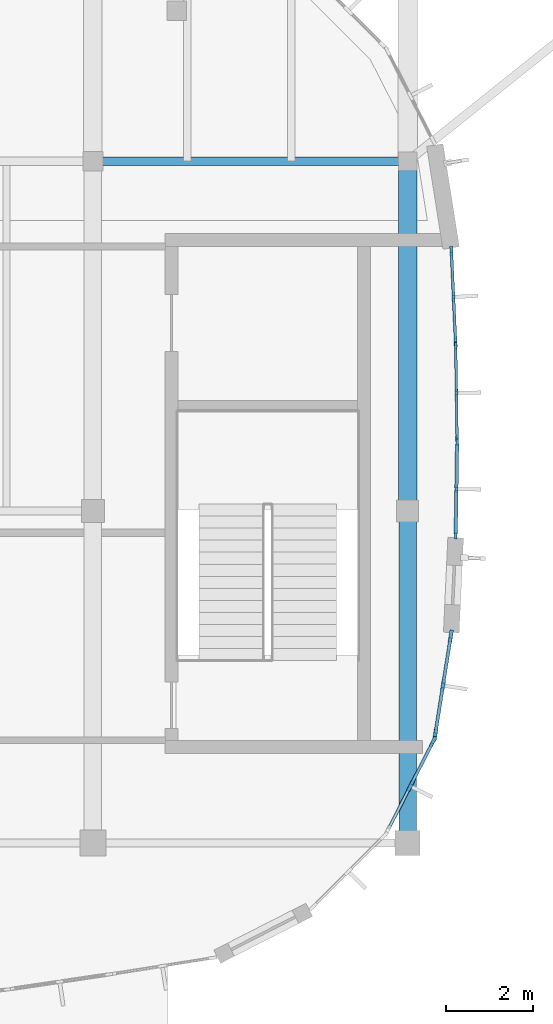
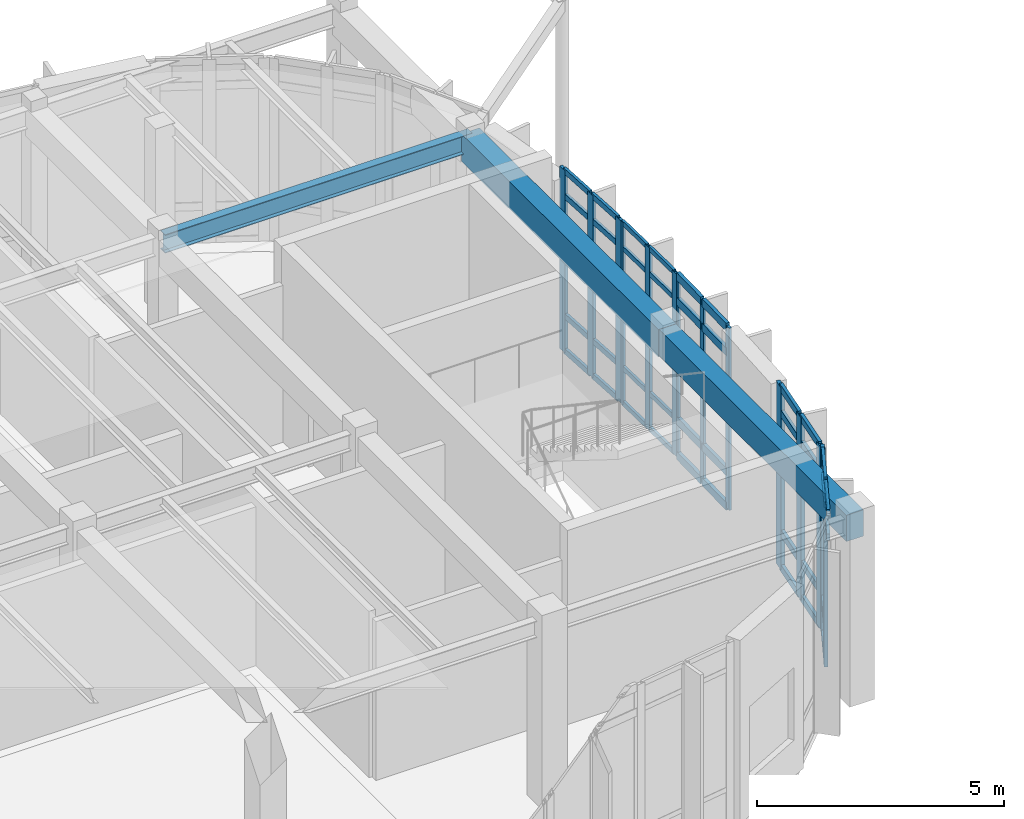
# One storey, part 35 of 120: 52 members, 3 beams, 5 elements without a shape of their own.
"""IFC4 building model written with IfcOpenShell, lengths in metres."""

from ifc_helpers import new_model, si_unit, direction, frame, origin, origin_2d, place, context, subcontext, project, spatial, rectangle, i_section, extrude, material, material_profile, profile_set, type_object, element, aggregate, save


model = new_model("IFC4")

# Units and contexts
model_context = context("Model", 3, precision=1e-05, world=origin(), true_north=direction((0.0, 1.0)))
body_context = subcontext(model_context, "Body", "Model", "MODEL_VIEW")
ifc_project = project(units=[si_unit("LENGTHUNIT", "METRE"), si_unit("AREAUNIT", "SQUARE_METRE"), si_unit("VOLUMEUNIT", "CUBIC_METRE"), si_unit("PLANEANGLEUNIT", "RADIAN"), si_unit("MASSUNIT", "GRAM", prefix="KILO")], contexts=[model_context])

# Site, building, storey
site_placement = place(None, origin())
site = spatial("IfcSite", under=ifc_project, at=site_placement, CompositionType="ELEMENT")
building_placement = place(site_placement, origin())
building = spatial("IfcBuilding", under=site, at=building_placement, Name="Corveleigh Park Community Centre", CompositionType="ELEMENT")
storey_placement = place(building_placement, origin())
storey = spatial("IfcBuildingStorey", under=building, at=storey_placement, Name="L00", CompositionType="ELEMENT", Elevation=0.0)

# Beams
ifc_material_1 = material(Name="Concrete C40/50", Category="concrete")
ifc_material_profile_1 = material_profile(ifc_material_1, rectangle(XDim=0.39990234375, YDim=0.64990234375, at=origin_2d()), Name="RC-400x650", Category="concrete")
ifc_profile_set_1 = profile_set([ifc_material_profile_1], Name="Concrete C40/50")
beam_type_1 = type_object("IfcBeamType", Name="BM-RC-400x650", PredefinedType="BEAM", material=ifc_profile_set_1)
beam_1_placement = place(storey_placement, frame((108.0, 11.205078125, 4.217041015625), z_axis=(0.0, 1.0, 0.0), x_axis=(-1.0, 0.0, 0.0)))
element("IfcBeam", 1, at=beam_1_placement, inside=storey, type_object=beam_type_1, Name="V3 Girder Y", PredefinedType="BEAM", context=body_context, shape_type="SweptSolid", body=[
    extrude(rectangle(XDim=0.39990234375, YDim=0.64990234375, at=origin_2d()), origin(), (0.0, 0.0, 1.0), 7.58984375),
])
ifc_material_profile_2 = material_profile(ifc_material_1, rectangle(XDim=0.425048828125, YDim=0.675048828125, at=origin_2d()), Name="RC-425x675", Category="concrete")
ifc_profile_set_2 = profile_set([ifc_material_profile_2], Name="Concrete C40/50")
beam_type_2 = type_object("IfcBeamType", Name="BM-RC-425x675", PredefinedType="BEAM", material=ifc_profile_set_2)
beam_2_placement = place(storey_placement, frame((108.0, 18.804931640625, 4.199462890625), z_axis=(0.0, 1.0, 0.0), x_axis=(-1.0, 0.0, 0.0)))
element("IfcBeam", 2, at=beam_2_placement, inside=storey, type_object=beam_type_2, Name="V3 Girder Y", PredefinedType="BEAM", context=body_context, shape_type="SweptSolid", body=[
    extrude(rectangle(XDim=0.425048828125, YDim=0.675048828125, at=origin_2d()), origin(), (0.0, 0.0, 1.0), 7.989990234375),
])
ifc_material_2 = material(Name="Steel S355", Category="steel")
ifc_material_profile_3 = material_profile(ifc_material_2, i_section(OverallWidth=0.1904296875, OverallDepth=0.45703125, WebThickness=0.009033203125, FlangeThickness=0.014404296875, at=origin_2d()), Name="UKB 457x191x74", Category="steel")
ifc_profile_set_3 = profile_set([ifc_material_profile_3], Name="Steel S355")
beam_type_3 = type_object("IfcBeamType", Name="BM-STL-UKB457x74", PredefinedType="BEAM", material=ifc_profile_set_3)
beam_3_placement = place(storey_placement, frame((100.804931640625, 26.800048828125, 4.30859375), z_axis=(1.0, 0.0, 0.0), x_axis=(0.0, 1.0, 0.0)))
element("IfcBeam", 3, at=beam_3_placement, inside=storey, type_object=beam_type_3, Name="V3 Girder X", PredefinedType="BEAM", context=body_context, shape_type="SweptSolid", body=[
    extrude(i_section(OverallWidth=0.1904296875, OverallDepth=0.45703125, WebThickness=0.009033203125, FlangeThickness=0.014404296875, at=origin_2d()), origin(), (0.0, 0.0, 1.0), 7.190185546875),
])

# Curtain wall, members
ifc_material_3 = material(Name="Anodised aluminium 6063-T6", Category="aluminium")
curtain_wall_type = type_object("IfcCurtainWallType", Name="CW-SYS-V3-L00", PredefinedType="NOTDEFINED", material=ifc_material_3)
curtain_wall_1_placement = place(storey_placement, origin())
curtain_wall_1 = element("IfcCurtainWall", 4, at=curtain_wall_1_placement, inside=storey, type_object=curtain_wall_type, Name="V3 L00 Curtain Wall 85", PredefinedType="NOTDEFINED")
ifc_material_profile_4 = material_profile(ifc_material_3, rectangle(XDim=0.06005859375, YDim=0.159912109375, at=origin_2d()), Name="ALU-M60x160", Category="aluminium")
ifc_profile_set_4 = profile_set([ifc_material_profile_4], Name="Anodised aluminium 6063-T6")
member_type_1 = type_object("IfcMemberType", Name="CWM-60x160", PredefinedType="MULLION", material=ifc_profile_set_4)
member_1_placement = place(storey_placement, frame((109.133544921875, 20.361083984375, 0.0), z_axis=(0.0, 0.0, 1.0), x_axis=(0.999885760581, -0.015115084786, 0.0)))
member_1 = element("IfcMember", 5, at=member_1_placement, type_object=member_type_1, Name="CW05 mullion 1", PredefinedType="MULLION", context=body_context, shape_type="SweptSolid", body=[
    extrude(rectangle(XDim=0.06005859375, YDim=0.159912109375, at=origin_2d()), origin(), (0.0, 0.0, 1.0), 4.511962890625),
])
member_2_placement = place(storey_placement, frame((109.117431640625, 19.299560546875, 0.0), z_axis=(0.0, 0.0, 1.0), x_axis=(0.999885760581, -0.015115084786, 0.0)))
member_2 = element("IfcMember", 6, at=member_2_placement, type_object=member_type_1, Name="CW05 mullion 2", PredefinedType="MULLION", context=body_context, shape_type="SweptSolid", body=[
    extrude(rectangle(XDim=0.06005859375, YDim=0.159912109375, at=origin_2d()), origin(), (0.0, 0.0, 1.0), 4.511962890625),
])
member_3_placement = place(storey_placement, frame((109.1015625, 18.238037109375, 0.0), z_axis=(0.0, 0.0, 1.0), x_axis=(0.999885760581, -0.015115084786, 0.0)))
member_3 = element("IfcMember", 7, at=member_3_placement, type_object=member_type_1, Name="CW05 mullion 3", PredefinedType="MULLION", context=body_context, shape_type="SweptSolid", body=[
    extrude(rectangle(XDim=0.06005859375, YDim=0.159912109375, at=origin_2d()), origin(), (0.0, 0.0, 1.0), 4.511962890625),
])

curtain_wall_2_placement = place(storey_placement, origin())
curtain_wall_2 = element("IfcCurtainWall", 8, at=curtain_wall_2_placement, inside=storey, type_object=curtain_wall_type, Name="V3 L00 Curtain Wall 86", PredefinedType="NOTDEFINED")
ifc_material_profile_5 = material_profile(ifc_material_3, rectangle(XDim=0.06494140625, YDim=0.179931640625, at=origin_2d()), Name="ALU-M65x180", Category="aluminium")
ifc_profile_set_5 = profile_set([ifc_material_profile_5], Name="Anodised aluminium 6063-T6")
member_type_2 = type_object("IfcMemberType", Name="CWM-65x180", PredefinedType="MULLION", material=ifc_profile_set_5)
member_4_placement = place(storey_placement, frame((109.1015625, 22.5595703125, 0.0), z_axis=(0.0, 0.0, 1.0), x_axis=(0.999885760581, 0.015115084786, 0.0)))
member_4 = element("IfcMember", 9, at=member_4_placement, type_object=member_type_2, Name="CW05 mullion 1", PredefinedType="MULLION", context=body_context, shape_type="SweptSolid", body=[
    extrude(rectangle(XDim=0.06494140625, YDim=0.179931640625, at=origin_2d()), origin(), (0.0, 0.0, 1.0), 4.511962890625),
])
member_5_placement = place(storey_placement, frame((109.117431640625, 21.50048828125, 0.0), z_axis=(0.0, 0.0, 1.0), x_axis=(0.999885760581, 0.015115084786, 0.0)))
member_5 = element("IfcMember", 10, at=member_5_placement, type_object=member_type_2, Name="CW05 mullion 2", PredefinedType="MULLION", context=body_context, shape_type="SweptSolid", body=[
    extrude(rectangle(XDim=0.06494140625, YDim=0.179931640625, at=origin_2d()), origin(), (0.0, 0.0, 1.0), 4.511962890625),
])
member_6_placement = place(storey_placement, frame((109.133544921875, 20.44140625, 0.0), z_axis=(0.0, 0.0, 1.0), x_axis=(0.999885760581, 0.015115084786, 0.0)))
member_6 = element("IfcMember", 11, at=member_6_placement, type_object=member_type_2, Name="CW05 mullion 3", PredefinedType="MULLION", context=body_context, shape_type="SweptSolid", body=[
    extrude(rectangle(XDim=0.06494140625, YDim=0.179931640625, at=origin_2d()), origin(), (0.0, 0.0, 1.0), 4.511962890625),
])

curtain_wall_3_placement = place(storey_placement, origin())
curtain_wall_3 = element("IfcCurtainWall", 12, at=curtain_wall_3_placement, inside=storey, type_object=curtain_wall_type, Name="V3 L00 Curtain Wall 87", PredefinedType="NOTDEFINED")
ifc_material_profile_6 = material_profile(ifc_material_3, rectangle(XDim=0.070068359375, YDim=0.199951171875, at=origin_2d()), Name="ALU-M70x200", Category="aluminium")
ifc_profile_set_6 = profile_set([ifc_material_profile_6], Name="Anodised aluminium 6063-T6")
member_type_3 = type_object("IfcMemberType", Name="CWM-70x200", PredefinedType="MULLION", material=ifc_profile_set_6)
member_7_placement = place(storey_placement, frame((109.002685546875, 24.748046875, 0.0), z_axis=(0.0, 0.0, 1.0), x_axis=(0.998942789627, 0.045970676011, 0.0)))
member_7 = element("IfcMember", 13, at=member_7_placement, type_object=member_type_3, Name="CW05 mullion 1", PredefinedType="MULLION", context=body_context, shape_type="SweptSolid", body=[
    extrude(rectangle(XDim=0.070068359375, YDim=0.199951171875, at=origin_2d()), origin(), (0.0, 0.0, 1.0), 4.511962890625),
])
member_8_placement = place(storey_placement, frame((109.051025390625, 23.696533203125, 0.0), z_axis=(0.0, 0.0, 1.0), x_axis=(0.998942789627, 0.045970676011, 0.0)))
member_8 = element("IfcMember", 14, at=member_8_placement, type_object=member_type_3, Name="CW05 mullion 2", PredefinedType="MULLION", context=body_context, shape_type="SweptSolid", body=[
    extrude(rectangle(XDim=0.070068359375, YDim=0.199951171875, at=origin_2d()), origin(), (0.0, 0.0, 1.0), 4.511962890625),
])
member_9_placement = place(storey_placement, frame((109.099365234375, 22.64501953125, 0.0), z_axis=(0.0, 0.0, 1.0), x_axis=(0.998942789627, 0.045970676011, 0.0)))
member_9 = element("IfcMember", 15, at=member_9_placement, type_object=member_type_3, Name="CW05 mullion 3", PredefinedType="MULLION", context=body_context, shape_type="SweptSolid", body=[
    extrude(rectangle(XDim=0.070068359375, YDim=0.199951171875, at=origin_2d()), origin(), (0.0, 0.0, 1.0), 4.511962890625),
])

curtain_wall_4_placement = place(storey_placement, origin())
curtain_wall_4 = element("IfcCurtainWall", 16, at=curtain_wall_4_placement, inside=storey, type_object=curtain_wall_type, Name="V3 L00 Curtain Wall 83", PredefinedType="NOTDEFINED")
ifc_material_profile_7 = material_profile(ifc_material_3, rectangle(XDim=0.080078125, YDim=0.25, at=origin_2d()), Name="ALU-M80x250", Category="aluminium")
ifc_profile_set_7 = profile_set([ifc_material_profile_7], Name="Anodised aluminium 6063-T6")
member_type_4 = type_object("IfcMemberType", Name="CWM-80x250", PredefinedType="MULLION", material=ifc_profile_set_7)
member_10_placement = place(storey_placement, frame((108.582763671875, 13.520263671875, 0.0), z_axis=(0.0, 0.0, 1.0), x_axis=(0.890932984411, -0.45413480079, 0.0)))
member_10 = element("IfcMember", 17, at=member_10_placement, type_object=member_type_4, Name="CW05 mullion 1", PredefinedType="MULLION", context=body_context, shape_type="SweptSolid", body=[
    extrude(rectangle(XDim=0.080078125, YDim=0.25, at=origin_2d()), origin(), (0.0, 0.0, 1.0), 4.5419921875),
])
member_11_placement = place(storey_placement, frame((108.06396484375, 12.50244140625, 0.0), z_axis=(0.0, 0.0, 1.0), x_axis=(0.890932984411, -0.45413480079, 0.0)))
member_11 = element("IfcMember", 18, at=member_11_placement, type_object=member_type_4, Name="CW05 mullion 2", PredefinedType="MULLION", context=body_context, shape_type="SweptSolid", body=[
    extrude(rectangle(XDim=0.080078125, YDim=0.25, at=origin_2d()), origin(), (0.0, 0.0, 1.0), 4.5419921875),
])

curtain_wall_5_placement = place(storey_placement, origin())
curtain_wall_5 = element("IfcCurtainWall", 19, at=curtain_wall_5_placement, inside=storey, type_object=curtain_wall_type, Name="V3 L00 Curtain Wall 84", PredefinedType="NOTDEFINED")
ifc_material_profile_8 = material_profile(ifc_material_3, rectangle(XDim=0.0849609375, YDim=0.27490234375, at=origin_2d()), Name="ALU-M85x275", Category="aluminium")
ifc_profile_set_8 = profile_set([ifc_material_profile_8], Name="Anodised aluminium 6063-T6")
member_type_5 = type_object("IfcMemberType", Name="CWM-85x275", PredefinedType="MULLION", material=ifc_profile_set_8)
member_12_placement = place(storey_placement, frame((108.990234375, 15.94091796875, 0.0), z_axis=(0.0, 0.0, 1.0), x_axis=(0.98768803972, -0.156436364679, 0.0)))
member_12 = element("IfcMember", 20, at=member_12_placement, type_object=member_type_5, Name="CW05 mullion 1", PredefinedType="MULLION", context=body_context, shape_type="SweptSolid", body=[
    extrude(rectangle(XDim=0.0849609375, YDim=0.27490234375, at=origin_2d()), origin(), (0.0, 0.0, 1.0), 4.511962890625),
])
member_13_placement = place(storey_placement, frame((108.810546875, 14.805419921875, 0.0), z_axis=(0.0, 0.0, 1.0), x_axis=(0.98768803972, -0.156436364679, 0.0)))
member_13 = element("IfcMember", 21, at=member_13_placement, type_object=member_type_5, Name="CW05 mullion 2", PredefinedType="MULLION", context=body_context, shape_type="SweptSolid", body=[
    extrude(rectangle(XDim=0.0849609375, YDim=0.27490234375, at=origin_2d()), origin(), (0.0, 0.0, 1.0), 4.511962890625),
])
member_14_placement = place(storey_placement, frame((108.630615234375, 13.669921875, 0.0), z_axis=(0.0, 0.0, 1.0), x_axis=(0.98768803972, -0.156436364679, 0.0)))
member_14 = element("IfcMember", 22, at=member_14_placement, type_object=member_type_5, Name="CW05 mullion 3", PredefinedType="MULLION", context=body_context, shape_type="SweptSolid", body=[
    extrude(rectangle(XDim=0.0849609375, YDim=0.27490234375, at=origin_2d()), origin(), (0.0, 0.0, 1.0), 4.511962890625),
])

# Member
ifc_material_profile_9 = material_profile(ifc_material_3, rectangle(XDim=0.06005859375, YDim=0.1201171875, at=origin_2d()), Name="ALU-T60x120", Category="aluminium")
ifc_profile_set_9 = profile_set([ifc_material_profile_9], Name="Anodised aluminium 6063-T6")
member_type_6 = type_object("IfcMemberType", Name="CWT-60x120", PredefinedType="USERDEFINED", material=ifc_profile_set_9)
member_15_placement = place(storey_placement, frame((109.10205078125, 22.527099609375, 0.030029296875), z_axis=(0.014978673039, -0.999887813384, 0.0), x_axis=(0.999887813384, 0.014978673039, 0.0)))
member_15 = element("IfcMember", 23, at=member_15_placement, type_object=member_type_6, Name="CW05 transom 1.1", ObjectType="TRANSOM", PredefinedType="USERDEFINED", context=body_context, shape_type="SweptSolid", body=[
    extrude(rectangle(XDim=0.06005859375, YDim=0.1201171875, at=origin_2d()), origin(), (0.0, 0.0, 1.0), 0.994140625),
])

member_16_placement = place(storey_placement, frame((109.10205078125, 22.527099609375, 0.89990234375), z_axis=(0.014978673039, -0.999887813384, 0.0), x_axis=(0.999887813384, 0.014978673039, 0.0)))
member_16 = element("IfcMember", 24, at=member_16_placement, type_object=member_type_6, Name="CW05 transom 1.2", ObjectType="TRANSOM", PredefinedType="USERDEFINED", context=body_context, shape_type="SweptSolid", body=[
    extrude(rectangle(XDim=0.06005859375, YDim=0.1201171875, at=origin_2d()), origin(), (0.0, 0.0, 1.0), 0.994140625),
])

member_17_placement = place(storey_placement, frame((109.10205078125, 22.527099609375, 3.862060546875), z_axis=(0.014978673039, -0.999887813384, 0.0), x_axis=(0.999887813384, 0.014978673039, 0.0)))
member_17 = element("IfcMember", 25, at=member_17_placement, type_object=member_type_6, Name="CW05 transom 1.3", ObjectType="TRANSOM", PredefinedType="USERDEFINED", context=body_context, shape_type="SweptSolid", body=[
    extrude(rectangle(XDim=0.06005859375, YDim=0.1201171875, at=origin_2d()), origin(), (0.0, 0.0, 1.0), 0.994140625),
])

member_18_placement = place(storey_placement, frame((109.10205078125, 22.527099609375, 4.48193359375), z_axis=(0.014978673039, -0.999887813384, 0.0), x_axis=(0.999887813384, 0.014978673039, 0.0)))
member_18 = element("IfcMember", 26, at=member_18_placement, type_object=member_type_6, Name="CW05 transom 1.4", ObjectType="TRANSOM", PredefinedType="USERDEFINED", context=body_context, shape_type="SweptSolid", body=[
    extrude(rectangle(XDim=0.06005859375, YDim=0.1201171875, at=origin_2d()), origin(), (0.0, 0.0, 1.0), 0.994140625),
])

member_19_placement = place(storey_placement, frame((109.117919921875, 21.468017578125, 0.030029296875), z_axis=(0.015224168602, -0.999884105629, 0.0), x_axis=(0.999884105629, 0.015224168602, 0.0)))
member_19 = element("IfcMember", 27, at=member_19_placement, type_object=member_type_6, Name="CW05 transom 2.1", ObjectType="TRANSOM", PredefinedType="USERDEFINED", context=body_context, shape_type="SweptSolid", body=[
    extrude(rectangle(XDim=0.06005859375, YDim=0.1201171875, at=origin_2d()), origin(), (0.0, 0.0, 1.0), 0.994140625),
])

member_20_placement = place(storey_placement, frame((109.117919921875, 21.468017578125, 0.89990234375), z_axis=(0.015224168602, -0.999884105629, 0.0), x_axis=(0.999884105629, 0.015224168602, 0.0)))
member_20 = element("IfcMember", 28, at=member_20_placement, type_object=member_type_6, Name="CW05 transom 2.2", ObjectType="TRANSOM", PredefinedType="USERDEFINED", context=body_context, shape_type="SweptSolid", body=[
    extrude(rectangle(XDim=0.06005859375, YDim=0.1201171875, at=origin_2d()), origin(), (0.0, 0.0, 1.0), 0.994140625),
])

member_21_placement = place(storey_placement, frame((109.117919921875, 21.468017578125, 3.862060546875), z_axis=(0.015224168602, -0.999884105629, 0.0), x_axis=(0.999884105629, 0.015224168602, 0.0)))
member_21 = element("IfcMember", 29, at=member_21_placement, type_object=member_type_6, Name="CW05 transom 2.3", ObjectType="TRANSOM", PredefinedType="USERDEFINED", context=body_context, shape_type="SweptSolid", body=[
    extrude(rectangle(XDim=0.06005859375, YDim=0.1201171875, at=origin_2d()), origin(), (0.0, 0.0, 1.0), 0.994140625),
])

member_22_placement = place(storey_placement, frame((109.117919921875, 21.468017578125, 4.48193359375), z_axis=(0.015224168602, -0.999884105629, 0.0), x_axis=(0.999884105629, 0.015224168602, 0.0)))
member_22 = element("IfcMember", 30, at=member_22_placement, type_object=member_type_6, Name="CW05 transom 2.4", ObjectType="TRANSOM", PredefinedType="USERDEFINED", context=body_context, shape_type="SweptSolid", body=[
    extrude(rectangle(XDim=0.06005859375, YDim=0.1201171875, at=origin_2d()), origin(), (0.0, 0.0, 1.0), 0.994140625),
])

aggregate(curtain_wall_2, [member_4, member_5, member_6, member_15, member_16, member_17, member_18, member_19, member_20, member_21, member_22])

ifc_material_profile_10 = material_profile(ifc_material_3, rectangle(XDim=0.06494140625, YDim=0.139892578125, at=origin_2d()), Name="ALU-T65x140", Category="aluminium")
ifc_profile_set_10 = profile_set([ifc_material_profile_10], Name="Anodised aluminium 6063-T6")
member_type_7 = type_object("IfcMemberType", Name="CWT-65x140", PredefinedType="USERDEFINED", material=ifc_profile_set_10)
member_23_placement = place(storey_placement, frame((109.004150390625, 24.713134765625, 0.032470703125), z_axis=(0.045959837936, -0.998943288329, 0.0), x_axis=(0.998943288329, 0.045959837936, 0.0)))
member_23 = element("IfcMember", 31, at=member_23_placement, type_object=member_type_7, Name="CW05 transom 1.1", ObjectType="TRANSOM", PredefinedType="USERDEFINED", context=body_context, shape_type="SweptSolid", body=[
    extrude(rectangle(XDim=0.06494140625, YDim=0.139892578125, at=origin_2d()), origin(), (0.0, 0.0, 1.0), 0.982666015625),
])

member_24_placement = place(storey_placement, frame((109.004150390625, 24.713134765625, 0.89990234375), z_axis=(0.045959837936, -0.998943288329, 0.0), x_axis=(0.998943288329, 0.045959837936, 0.0)))
member_24 = element("IfcMember", 32, at=member_24_placement, type_object=member_type_7, Name="CW05 transom 1.2", ObjectType="TRANSOM", PredefinedType="USERDEFINED", context=body_context, shape_type="SweptSolid", body=[
    extrude(rectangle(XDim=0.06494140625, YDim=0.139892578125, at=origin_2d()), origin(), (0.0, 0.0, 1.0), 0.982666015625),
])

member_25_placement = place(storey_placement, frame((109.004150390625, 24.713134765625, 3.862060546875), z_axis=(0.045959837936, -0.998943288329, 0.0), x_axis=(0.998943288329, 0.045959837936, 0.0)))
member_25 = element("IfcMember", 33, at=member_25_placement, type_object=member_type_7, Name="CW05 transom 1.3", ObjectType="TRANSOM", PredefinedType="USERDEFINED", context=body_context, shape_type="SweptSolid", body=[
    extrude(rectangle(XDim=0.06494140625, YDim=0.139892578125, at=origin_2d()), origin(), (0.0, 0.0, 1.0), 0.982666015625),
])

member_26_placement = place(storey_placement, frame((109.004150390625, 24.713134765625, 4.4794921875), z_axis=(0.045959837936, -0.998943288329, 0.0), x_axis=(0.998943288329, 0.045959837936, 0.0)))
member_26 = element("IfcMember", 34, at=member_26_placement, type_object=member_type_7, Name="CW05 transom 1.4", ObjectType="TRANSOM", PredefinedType="USERDEFINED", context=body_context, shape_type="SweptSolid", body=[
    extrude(rectangle(XDim=0.06494140625, YDim=0.139892578125, at=origin_2d()), origin(), (0.0, 0.0, 1.0), 0.982666015625),
])

member_27_placement = place(storey_placement, frame((109.052490234375, 23.66162109375, 0.032470703125), z_axis=(0.046207740475, -0.99893185189, 0.0), x_axis=(0.99893185189, 0.046207740475, 0.0)))
member_27 = element("IfcMember", 35, at=member_27_placement, type_object=member_type_7, Name="CW05 transom 2.1", ObjectType="TRANSOM", PredefinedType="USERDEFINED", context=body_context, shape_type="SweptSolid", body=[
    extrude(rectangle(XDim=0.06494140625, YDim=0.139892578125, at=origin_2d()), origin(), (0.0, 0.0, 1.0), 0.982666015625),
])

member_28_placement = place(storey_placement, frame((109.052490234375, 23.66162109375, 0.89990234375), z_axis=(0.046207740475, -0.99893185189, 0.0), x_axis=(0.99893185189, 0.046207740475, 0.0)))
member_28 = element("IfcMember", 36, at=member_28_placement, type_object=member_type_7, Name="CW05 transom 2.2", ObjectType="TRANSOM", PredefinedType="USERDEFINED", context=body_context, shape_type="SweptSolid", body=[
    extrude(rectangle(XDim=0.06494140625, YDim=0.139892578125, at=origin_2d()), origin(), (0.0, 0.0, 1.0), 0.982666015625),
])

member_29_placement = place(storey_placement, frame((109.052490234375, 23.66162109375, 3.862060546875), z_axis=(0.046207740475, -0.99893185189, 0.0), x_axis=(0.99893185189, 0.046207740475, 0.0)))
member_29 = element("IfcMember", 37, at=member_29_placement, type_object=member_type_7, Name="CW05 transom 2.3", ObjectType="TRANSOM", PredefinedType="USERDEFINED", context=body_context, shape_type="SweptSolid", body=[
    extrude(rectangle(XDim=0.06494140625, YDim=0.139892578125, at=origin_2d()), origin(), (0.0, 0.0, 1.0), 0.982666015625),
])

member_30_placement = place(storey_placement, frame((109.052490234375, 23.66162109375, 4.4794921875), z_axis=(0.046207740475, -0.99893185189, 0.0), x_axis=(0.99893185189, 0.046207740475, 0.0)))
member_30 = element("IfcMember", 38, at=member_30_placement, type_object=member_type_7, Name="CW05 transom 2.4", ObjectType="TRANSOM", PredefinedType="USERDEFINED", context=body_context, shape_type="SweptSolid", body=[
    extrude(rectangle(XDim=0.06494140625, YDim=0.139892578125, at=origin_2d()), origin(), (0.0, 0.0, 1.0), 0.982666015625),
])

aggregate(curtain_wall_3, [member_7, member_8, member_9, member_23, member_24, member_25, member_26, member_27, member_28, member_29, member_30])

ifc_material_profile_11 = material_profile(ifc_material_3, rectangle(XDim=0.070068359375, YDim=0.155029296875, at=origin_2d()), Name="ALU-T70x155", Category="aluminium")
ifc_profile_set_11 = profile_set([ifc_material_profile_11], Name="Anodised aluminium 6063-T6")
member_type_8 = type_object("IfcMemberType", Name="CWT-70x155", PredefinedType="USERDEFINED", material=ifc_profile_set_11)
member_31_placement = place(storey_placement, frame((108.564697265625, 13.484619140625, 0.034912109375), z_axis=(-0.454094457087, -0.890953547635, 0.0), x_axis=(0.890953547635, -0.454094457087, 0.0)))
member_31 = element("IfcMember", 39, at=member_31_placement, type_object=member_type_8, Name="CW05 transom 1.1", ObjectType="TRANSOM", PredefinedType="USERDEFINED", context=body_context, shape_type="SweptSolid", body=[
    extrude(rectangle(XDim=0.070068359375, YDim=0.155029296875, at=origin_2d()), origin(), (0.0, 0.0, 1.0), 1.0625),
])

member_32_placement = place(storey_placement, frame((108.564697265625, 13.484619140625, 0.89990234375), z_axis=(-0.454094457087, -0.890953547635, 0.0), x_axis=(0.890953547635, -0.454094457087, 0.0)))
member_32 = element("IfcMember", 40, at=member_32_placement, type_object=member_type_8, Name="CW05 transom 1.2", ObjectType="TRANSOM", PredefinedType="USERDEFINED", context=body_context, shape_type="SweptSolid", body=[
    extrude(rectangle(XDim=0.070068359375, YDim=0.155029296875, at=origin_2d()), origin(), (0.0, 0.0, 1.0), 1.0625),
])

member_33_placement = place(storey_placement, frame((108.564697265625, 13.484619140625, 3.89208984375), z_axis=(-0.454094457087, -0.890953547635, 0.0), x_axis=(0.890953547635, -0.454094457087, 0.0)))
member_33 = element("IfcMember", 41, at=member_33_placement, type_object=member_type_8, Name="CW05 transom 1.3", ObjectType="TRANSOM", PredefinedType="USERDEFINED", context=body_context, shape_type="SweptSolid", body=[
    extrude(rectangle(XDim=0.070068359375, YDim=0.155029296875, at=origin_2d()), origin(), (0.0, 0.0, 1.0), 1.0625),
])

member_34_placement = place(storey_placement, frame((108.564697265625, 13.484619140625, 4.507080078125), z_axis=(-0.454094457087, -0.890953547635, 0.0), x_axis=(0.890953547635, -0.454094457087, 0.0)))
member_34 = element("IfcMember", 42, at=member_34_placement, type_object=member_type_8, Name="CW05 transom 1.4", ObjectType="TRANSOM", PredefinedType="USERDEFINED", context=body_context, shape_type="SweptSolid", body=[
    extrude(rectangle(XDim=0.070068359375, YDim=0.155029296875, at=origin_2d()), origin(), (0.0, 0.0, 1.0), 1.0625),
])

member_35_placement = place(storey_placement, frame((108.0458984375, 12.466796875, 3.89208984375), z_axis=(-0.454276847245, -0.89086056488, 0.0), x_axis=(0.89086056488, -0.454276847245, 0.0)))
member_35 = element("IfcMember", 43, at=member_35_placement, type_object=member_type_8, Name="CW05 transom 2.3", ObjectType="TRANSOM", PredefinedType="USERDEFINED", context=body_context, shape_type="SweptSolid", body=[
    extrude(rectangle(XDim=0.070068359375, YDim=0.155029296875, at=origin_2d()), origin(), (0.0, 0.0, 1.0), 1.0625),
])

member_36_placement = place(storey_placement, frame((108.0458984375, 12.466796875, 4.507080078125), z_axis=(-0.454276847245, -0.89086056488, 0.0), x_axis=(0.89086056488, -0.454276847245, 0.0)))
member_36 = element("IfcMember", 44, at=member_36_placement, type_object=member_type_8, Name="CW05 transom 2.4", ObjectType="TRANSOM", PredefinedType="USERDEFINED", context=body_context, shape_type="SweptSolid", body=[
    extrude(rectangle(XDim=0.070068359375, YDim=0.155029296875, at=origin_2d()), origin(), (0.0, 0.0, 1.0), 1.0625),
])

aggregate(curtain_wall_4, [member_10, member_11, member_31, member_32, member_33, member_34, member_35, member_36])

ifc_material_profile_12 = material_profile(ifc_material_3, rectangle(XDim=0.074951171875, YDim=0.175048828125, at=origin_2d()), Name="ALU-T75x175", Category="aluminium")
ifc_profile_set_12 = profile_set([ifc_material_profile_12], Name="Anodised aluminium 6063-T6")
member_type_9 = type_object("IfcMemberType", Name="CWT-75x175", PredefinedType="USERDEFINED", material=ifc_profile_set_12)
member_37_placement = place(storey_placement, frame((108.983642578125, 15.89892578125, 0.03759765625), z_axis=(-0.15639827196, -0.987694072336, 0.0), x_axis=(0.987694072336, -0.15639827196, 0.0)))
member_37 = element("IfcMember", 45, at=member_37_placement, type_object=member_type_9, Name="CW05 transom 1.1", ObjectType="TRANSOM", PredefinedType="USERDEFINED", context=body_context, shape_type="SweptSolid", body=[
    extrude(rectangle(XDim=0.074951171875, YDim=0.175048828125, at=origin_2d()), origin(), (0.0, 0.0, 1.0), 1.064697265625),
])

member_38_placement = place(storey_placement, frame((108.983642578125, 15.89892578125, 0.89990234375), z_axis=(-0.15639827196, -0.987694072336, 0.0), x_axis=(0.987694072336, -0.15639827196, 0.0)))
member_38 = element("IfcMember", 46, at=member_38_placement, type_object=member_type_9, Name="CW05 transom 1.2", ObjectType="TRANSOM", PredefinedType="USERDEFINED", context=body_context, shape_type="SweptSolid", body=[
    extrude(rectangle(XDim=0.074951171875, YDim=0.175048828125, at=origin_2d()), origin(), (0.0, 0.0, 1.0), 1.064697265625),
])

member_39_placement = place(storey_placement, frame((108.983642578125, 15.89892578125, 3.862060546875), z_axis=(-0.15639827196, -0.987694072336, 0.0), x_axis=(0.987694072336, -0.15639827196, 0.0)))
member_39 = element("IfcMember", 47, at=member_39_placement, type_object=member_type_9, Name="CW05 transom 1.3", ObjectType="TRANSOM", PredefinedType="USERDEFINED", context=body_context, shape_type="SweptSolid", body=[
    extrude(rectangle(XDim=0.074951171875, YDim=0.175048828125, at=origin_2d()), origin(), (0.0, 0.0, 1.0), 1.064697265625),
])

member_40_placement = place(storey_placement, frame((108.983642578125, 15.89892578125, 4.474609375), z_axis=(-0.15639827196, -0.987694072336, 0.0), x_axis=(0.987694072336, -0.15639827196, 0.0)))
member_40 = element("IfcMember", 48, at=member_40_placement, type_object=member_type_9, Name="CW05 transom 1.4", ObjectType="TRANSOM", PredefinedType="USERDEFINED", context=body_context, shape_type="SweptSolid", body=[
    extrude(rectangle(XDim=0.074951171875, YDim=0.175048828125, at=origin_2d()), origin(), (0.0, 0.0, 1.0), 1.064697265625),
])

member_41_placement = place(storey_placement, frame((108.803955078125, 14.763427734375, 0.03759765625), z_axis=(-0.156621973563, -0.987658623917, 0.0), x_axis=(0.987658623917, -0.156621973563, 0.0)))
member_41 = element("IfcMember", 49, at=member_41_placement, type_object=member_type_9, Name="CW05 transom 2.1", ObjectType="TRANSOM", PredefinedType="USERDEFINED", context=body_context, shape_type="SweptSolid", body=[
    extrude(rectangle(XDim=0.074951171875, YDim=0.175048828125, at=origin_2d()), origin(), (0.0, 0.0, 1.0), 1.064697265625),
])

member_42_placement = place(storey_placement, frame((108.803955078125, 14.763427734375, 0.89990234375), z_axis=(-0.156621973563, -0.987658623917, 0.0), x_axis=(0.987658623917, -0.156621973563, 0.0)))
member_42 = element("IfcMember", 50, at=member_42_placement, type_object=member_type_9, Name="CW05 transom 2.2", ObjectType="TRANSOM", PredefinedType="USERDEFINED", context=body_context, shape_type="SweptSolid", body=[
    extrude(rectangle(XDim=0.074951171875, YDim=0.175048828125, at=origin_2d()), origin(), (0.0, 0.0, 1.0), 1.064697265625),
])

member_43_placement = place(storey_placement, frame((108.803955078125, 14.763427734375, 3.862060546875), z_axis=(-0.156621973563, -0.987658623917, 0.0), x_axis=(0.987658623917, -0.156621973563, 0.0)))
member_43 = element("IfcMember", 51, at=member_43_placement, type_object=member_type_9, Name="CW05 transom 2.3", ObjectType="TRANSOM", PredefinedType="USERDEFINED", context=body_context, shape_type="SweptSolid", body=[
    extrude(rectangle(XDim=0.074951171875, YDim=0.175048828125, at=origin_2d()), origin(), (0.0, 0.0, 1.0), 1.064697265625),
])

member_44_placement = place(storey_placement, frame((108.803955078125, 14.763427734375, 4.474609375), z_axis=(-0.156621973563, -0.987658623917, 0.0), x_axis=(0.987658623917, -0.156621973563, 0.0)))
member_44 = element("IfcMember", 52, at=member_44_placement, type_object=member_type_9, Name="CW05 transom 2.4", ObjectType="TRANSOM", PredefinedType="USERDEFINED", context=body_context, shape_type="SweptSolid", body=[
    extrude(rectangle(XDim=0.074951171875, YDim=0.175048828125, at=origin_2d()), origin(), (0.0, 0.0, 1.0), 1.064697265625),
])

aggregate(curtain_wall_5, [member_12, member_13, member_14, member_37, member_38, member_39, member_40, member_41, member_42, member_43, member_44])

ifc_material_profile_13 = material_profile(ifc_material_3, rectangle(XDim=0.080078125, YDim=0.195068359375, at=origin_2d()), Name="ALU-T80x195", Category="aluminium")
ifc_profile_set_13 = profile_set([ifc_material_profile_13], Name="Anodised aluminium 6063-T6")
member_type_10 = type_object("IfcMemberType", Name="CWT-80x195", PredefinedType="USERDEFINED", material=ifc_profile_set_13)
member_45_placement = place(storey_placement, frame((109.133056640625, 20.3310546875, 0.0400390625), z_axis=(-0.015112852084, -0.999885794329, 0.0), x_axis=(0.999885794329, -0.015112852084, 0.0)))
member_45 = element("IfcMember", 53, at=member_45_placement, type_object=member_type_10, Name="CW05 transom 1.1", ObjectType="TRANSOM", PredefinedType="USERDEFINED", context=body_context, shape_type="SweptSolid", body=[
    extrude(rectangle(XDim=0.080078125, YDim=0.195068359375, at=origin_2d()), origin(), (0.0, 0.0, 1.0), 1.00146484375),
])

member_46_placement = place(storey_placement, frame((109.133056640625, 20.3310546875, 0.89990234375), z_axis=(-0.015112852084, -0.999885794329, 0.0), x_axis=(0.999885794329, -0.015112852084, 0.0)))
member_46 = element("IfcMember", 54, at=member_46_placement, type_object=member_type_10, Name="CW05 transom 1.2", ObjectType="TRANSOM", PredefinedType="USERDEFINED", context=body_context, shape_type="SweptSolid", body=[
    extrude(rectangle(XDim=0.080078125, YDim=0.195068359375, at=origin_2d()), origin(), (0.0, 0.0, 1.0), 1.00146484375),
])

member_47_placement = place(storey_placement, frame((109.133056640625, 20.3310546875, 3.862060546875), z_axis=(-0.015112852084, -0.999885794329, 0.0), x_axis=(0.999885794329, -0.015112852084, 0.0)))
member_47 = element("IfcMember", 55, at=member_47_placement, type_object=member_type_10, Name="CW05 transom 1.3", ObjectType="TRANSOM", PredefinedType="USERDEFINED", context=body_context, shape_type="SweptSolid", body=[
    extrude(rectangle(XDim=0.080078125, YDim=0.195068359375, at=origin_2d()), origin(), (0.0, 0.0, 1.0), 1.00146484375),
])

member_48_placement = place(storey_placement, frame((109.133056640625, 20.3310546875, 4.471923828125), z_axis=(-0.015112852084, -0.999885794329, 0.0), x_axis=(0.999885794329, -0.015112852084, 0.0)))
member_48 = element("IfcMember", 56, at=member_48_placement, type_object=member_type_10, Name="CW05 transom 1.4", ObjectType="TRANSOM", PredefinedType="USERDEFINED", context=body_context, shape_type="SweptSolid", body=[
    extrude(rectangle(XDim=0.080078125, YDim=0.195068359375, at=origin_2d()), origin(), (0.0, 0.0, 1.0), 1.00146484375),
])

member_49_placement = place(storey_placement, frame((109.116943359375, 19.26953125, 0.0400390625), z_axis=(-0.015112852084, -0.999885794329, 0.0), x_axis=(0.999885794329, -0.015112852084, 0.0)))
member_49 = element("IfcMember", 57, at=member_49_placement, type_object=member_type_10, Name="CW05 transom 2.1", ObjectType="TRANSOM", PredefinedType="USERDEFINED", context=body_context, shape_type="SweptSolid", body=[
    extrude(rectangle(XDim=0.080078125, YDim=0.195068359375, at=origin_2d()), origin(), (0.0, 0.0, 1.0), 1.00146484375),
])

member_50_placement = place(storey_placement, frame((109.116943359375, 19.26953125, 0.89990234375), z_axis=(-0.015112852084, -0.999885794329, 0.0), x_axis=(0.999885794329, -0.015112852084, 0.0)))
member_50 = element("IfcMember", 58, at=member_50_placement, type_object=member_type_10, Name="CW05 transom 2.2", ObjectType="TRANSOM", PredefinedType="USERDEFINED", context=body_context, shape_type="SweptSolid", body=[
    extrude(rectangle(XDim=0.080078125, YDim=0.195068359375, at=origin_2d()), origin(), (0.0, 0.0, 1.0), 1.00146484375),
])

member_51_placement = place(storey_placement, frame((109.116943359375, 19.26953125, 3.862060546875), z_axis=(-0.015112852084, -0.999885794329, 0.0), x_axis=(0.999885794329, -0.015112852084, 0.0)))
member_51 = element("IfcMember", 59, at=member_51_placement, type_object=member_type_10, Name="CW05 transom 2.3", ObjectType="TRANSOM", PredefinedType="USERDEFINED", context=body_context, shape_type="SweptSolid", body=[
    extrude(rectangle(XDim=0.080078125, YDim=0.195068359375, at=origin_2d()), origin(), (0.0, 0.0, 1.0), 1.00146484375),
])

member_52_placement = place(storey_placement, frame((109.116943359375, 19.26953125, 4.471923828125), z_axis=(-0.015112852084, -0.999885794329, 0.0), x_axis=(0.999885794329, -0.015112852084, 0.0)))
member_52 = element("IfcMember", 60, at=member_52_placement, type_object=member_type_10, Name="CW05 transom 2.4", ObjectType="TRANSOM", PredefinedType="USERDEFINED", context=body_context, shape_type="SweptSolid", body=[
    extrude(rectangle(XDim=0.080078125, YDim=0.195068359375, at=origin_2d()), origin(), (0.0, 0.0, 1.0), 1.00146484375),
])

aggregate(curtain_wall_1, [member_1, member_2, member_3, member_45, member_46, member_47, member_48, member_49, member_50, member_51, member_52])

save(model, "model.ifc")
